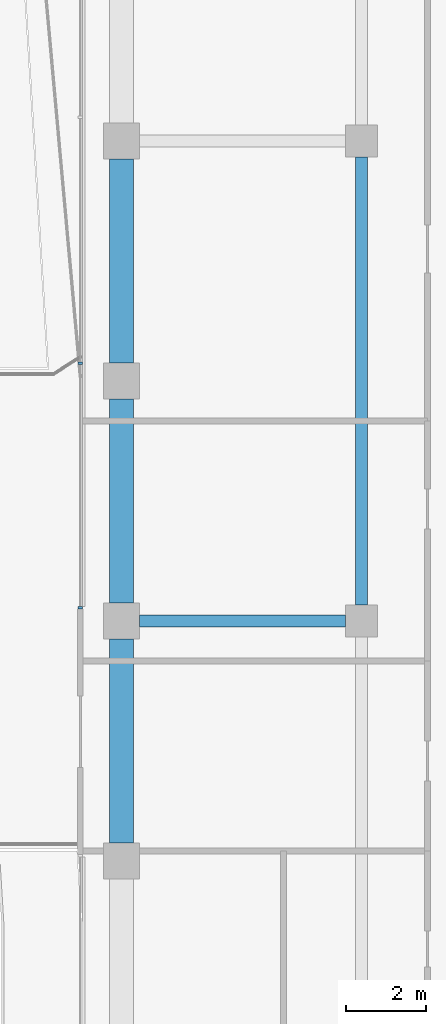
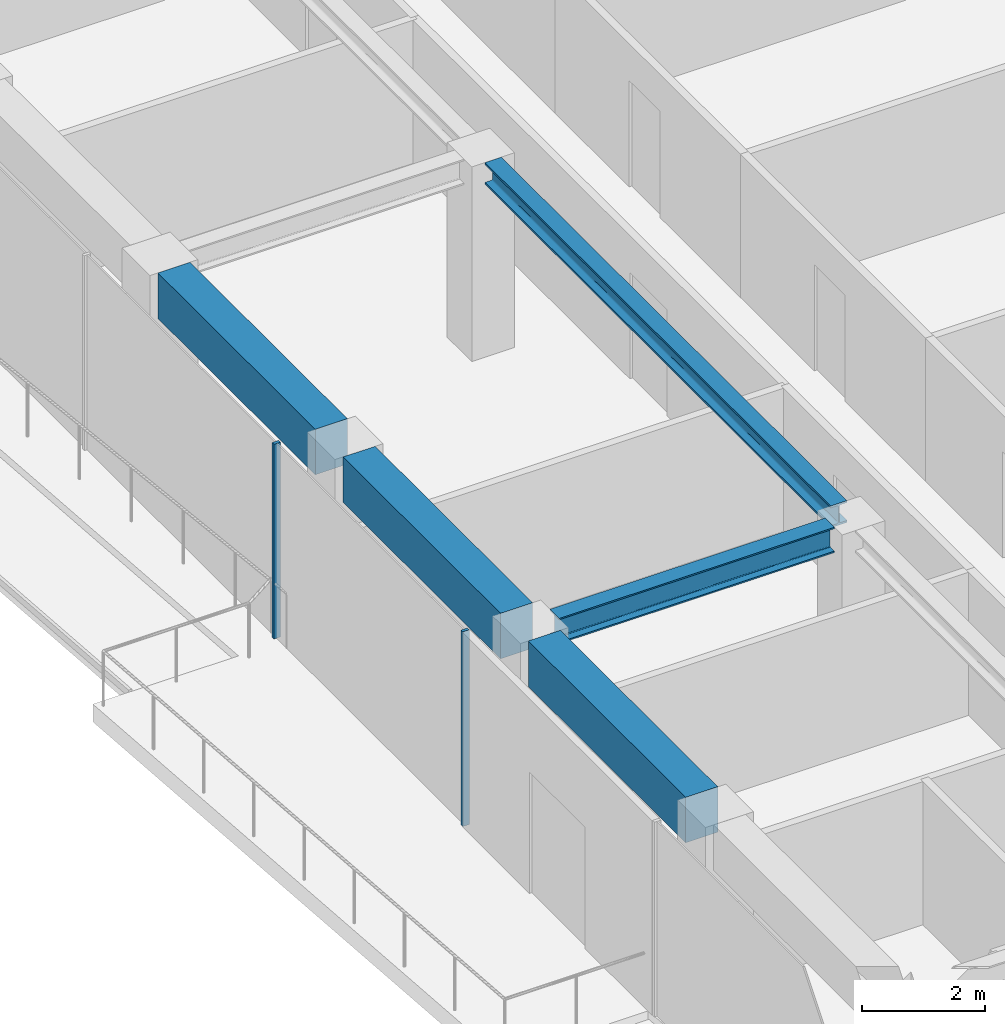
# One storey, part 10 of 23: 5 beams, 2 members, 1 element without a shape of its own.
"""IFC4 building model written with IfcOpenShell, lengths in metres."""

from ifc_helpers import new_model, si_unit, direction, frame, origin, origin_2d, place, context, subcontext, project, spatial, rectangle, i_section, extrude, material, layer, layer_set, material_profile, profile_set, type_object, element, aggregate, save


model = new_model("IFC4")

# Units and contexts
model_context = context("Model", 3, precision=1e-05, world=origin(), true_north=direction((0.0, 1.0)))
body_context = subcontext(model_context, "Body", "Model", "MODEL_VIEW")
ifc_project = project(units=[si_unit("LENGTHUNIT", "METRE"), si_unit("AREAUNIT", "SQUARE_METRE"), si_unit("VOLUMEUNIT", "CUBIC_METRE"), si_unit("PLANEANGLEUNIT", "RADIAN"), si_unit("MASSUNIT", "GRAM", prefix="KILO")], contexts=[model_context])

# Site, building, storey
site_placement = place(None, origin())
site = spatial("IfcSite", under=ifc_project, at=site_placement, CompositionType="ELEMENT")
building_placement = place(site_placement, origin())
building = spatial("IfcBuilding", under=site, at=building_placement, Name="Welwitschia Terrace Campus", CompositionType="ELEMENT")
storey_placement = place(building_placement, frame((0.0, 0.0, 96.199951171875)))
storey = spatial("IfcBuildingStorey", under=building, at=storey_placement, Name="L21", CompositionType="ELEMENT", Elevation=96.199951171875)

# Beam
ifc_material_1 = material(Name="Steel S355", Category="steel")
ifc_material_profile_1 = material_profile(ifc_material_1, i_section(OverallWidth=0.306884765625, OverallDepth=0.431884765625, WebThickness=0.02099609375, FlangeThickness=0.0400390625, FilletRadius=0.027099609375, at=origin_2d()))
ifc_profile_set_1 = profile_set([ifc_material_profile_1], Name="Steel S355")
beam_type_1 = type_object("IfcBeamType", Name="Interior girder HE 400 M", PredefinedType="BEAM", material=ifc_profile_set_1)
beam_1_placement = place(storey_placement, frame((6.0, 40.400390625, 3.634033203125), z_axis=(0.0, 1.0, 0.0), x_axis=(-1.0, 0.0, 0.0)))
element("IfcBeam", 1, at=beam_1_placement, inside=storey, type_object=beam_type_1, Name="Girder GB3", PredefinedType="BEAM", context=body_context, shape_type="SweptSolid", body=[
    extrude(i_section(OverallWidth=0.306884765625, OverallDepth=0.431884765625, WebThickness=0.02099609375, FlangeThickness=0.0400390625, FilletRadius=0.027099609375, at=origin_2d()), origin(), (0.0, 0.0, 1.0), 11.19921875),
])

# Curtain wall, members
ifc_material_2 = material(Name="Bronze anodised aluminium", Category="aluminium")
ifc_layer = layer(ifc_material_2, 0.1201171875)
ifc_layer_set = layer_set([ifc_layer], Name="Bronze anodised aluminium")
curtain_wall_type = type_object("IfcCurtainWallType", Name="Curtain wall CW2 tower 6000", PredefinedType="NOTDEFINED", material=ifc_layer_set)
curtain_wall_placement = place(storey_placement, origin())
curtain_wall = element("IfcCurtainWall", 2, at=curtain_wall_placement, inside=storey, type_object=curtain_wall_type, Name="CW L21.10.0", PredefinedType="NOTDEFINED")
ifc_material_3 = material(Name="Bronze anodised aluminium", Category="aluminium")
ifc_material_profile_2 = material_profile(ifc_material_3, rectangle(XDim=0.1201171875, YDim=0.06005859375, at=origin_2d()))
ifc_profile_set_2 = profile_set([ifc_material_profile_2], Name="Bronze anodised aluminium")
member_type = type_object("IfcMemberType", Name="Mullion 60x120", PredefinedType="MULLION", material=ifc_profile_set_2)
member_1_placement = place(storey_placement, frame((-1.030029296875, 46.447265625, 0.0), z_axis=(0.0, 0.0, 1.0), x_axis=(1.0, 0.0, 0.0)))
member_1 = element("IfcMember", 3, at=member_1_placement, type_object=member_type, Name="Mullion L21.10.0.4", PredefinedType="MULLION", context=body_context, shape_type="SweptSolid", body=[
    extrude(rectangle(XDim=0.1201171875, YDim=0.06005859375, at=origin_2d()), origin(), (0.0, 0.0, 1.0), 3.85009765625),
])
member_2_placement = place(storey_placement, frame((-1.030029296875, 40.331787109375, 0.0), z_axis=(0.0, 0.0, 1.0), x_axis=(1.0, 0.0, 0.0)))
member_2 = element("IfcMember", 4, at=member_2_placement, type_object=member_type, Name="Mullion L21.10.0.5", PredefinedType="MULLION", context=body_context, shape_type="SweptSolid", body=[
    extrude(rectangle(XDim=0.1201171875, YDim=0.06005859375, at=origin_2d()), origin(), (0.0, 0.0, 1.0), 3.85009765625),
])
aggregate(curtain_wall, [member_1, member_2])

# Beams
ifc_material_4 = material(Name="Steel S355", Category="steel")
ifc_material_profile_3 = material_profile(ifc_material_4, i_section(OverallWidth=0.300048828125, OverallDepth=0.5, WebThickness=0.014404296875, FlangeThickness=0.028076171875, FilletRadius=0.027099609375, at=origin_2d()))
ifc_profile_set_3 = profile_set([ifc_material_profile_3], Name="Steel S355")
beam_type_2 = type_object("IfcBeamType", Name="Primary beam HE 500 B", PredefinedType="BEAM", material=ifc_profile_set_3)
beam_2_placement = place(storey_placement, frame((0.450439453125, 40.0, 3.60009765625), z_axis=(1.0, 0.0, 0.0), x_axis=(0.0, 1.0, 0.0)))
element("IfcBeam", 5, at=beam_2_placement, inside=storey, type_object=beam_type_2, Name="Primary beam PB3", PredefinedType="BEAM", context=body_context, shape_type="SweptSolid", body=[
    extrude(i_section(OverallWidth=0.300048828125, OverallDepth=0.5, WebThickness=0.014404296875, FlangeThickness=0.028076171875, FilletRadius=0.027099609375, at=origin_2d()), origin(), (0.0, 0.0, 1.0), 5.149169921875),
])
ifc_material_5 = material(Name="Concrete C60/75", Category="concrete")
ifc_material_profile_4 = material_profile(ifc_material_5, rectangle(XDim=0.60009765625, YDim=0.89990234375, at=origin_2d()))
ifc_profile_set_4 = profile_set([ifc_material_profile_4], Name="Concrete C60/75")
beam_type_3 = type_object("IfcBeamType", Name="Ring spandrel 600x900", PredefinedType="SPANDREL", material=ifc_profile_set_4)
for number, where, z_axis, x_axis, name in (
    (6, (0.0, 51.549560546875, 3.400146484375), (0.0, -1.0, 0.0), (1.0, 0.0, 0.0), "Spandrel SP2"),
    (7, (0.0, 45.549560546875, 3.400146484375), (0.0, -1.0, 0.0), (1.0, 0.0, 0.0), "Spandrel SP2"),
    (8, (0.0, 39.549560546875, 3.400146484375), (0.0, -1.0, 0.0), (1.0, 0.0, 0.0), "Spandrel SP2"),
):
    element("IfcBeam", number, at=place(storey_placement, frame(where, z_axis=z_axis, x_axis=x_axis)), inside=storey, type_object=beam_type_3, Name=name, PredefinedType="SPANDREL", context=body_context, shape_type="SweptSolid", body=[
        extrude(rectangle(XDim=0.60009765625, YDim=0.89990234375, at=origin_2d()), origin(), (0.0, 0.0, 1.0), 5.09912109375),
    ])

save(model, "model.ifc")
